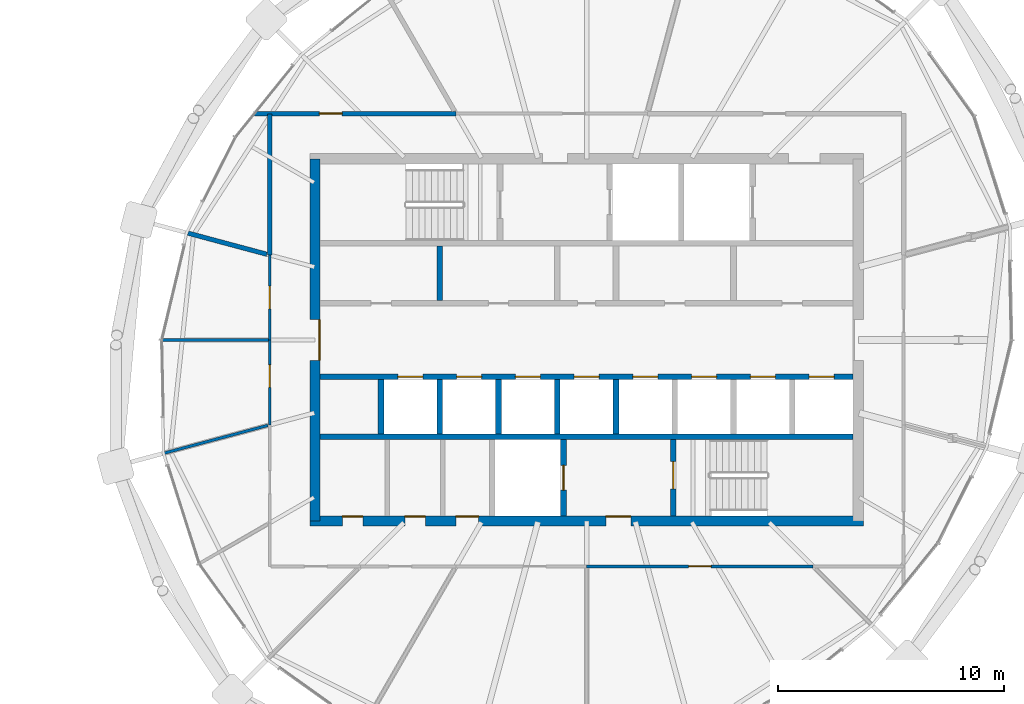
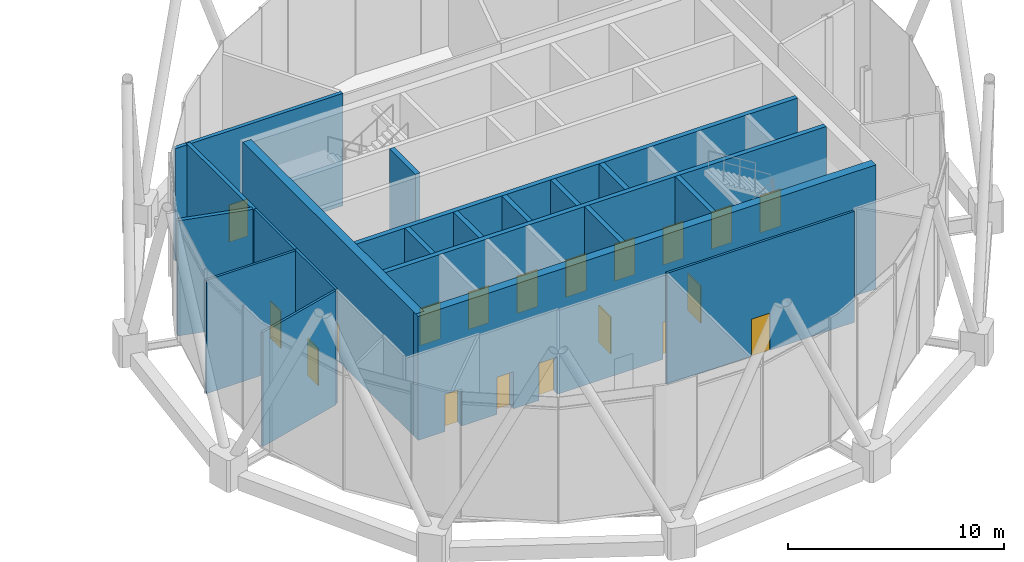
# One storey, part 21 of 28: 20 walls, 19 doors, 19 openings.
"""IFC4 building model written with IfcOpenShell, lengths in metres."""

from ifc_helpers import new_model, si_unit, direction, frame, frame_2d, origin, place, context, subcontext, project, spatial, rectangle, extrude, material, layer, layer_set, type_object, element, fill, save


model = new_model("IFC4")

# Units and contexts
model_context = context("Model", 3, precision=1e-05, world=origin(), true_north=direction((0.0, 1.0)))
body_context = subcontext(model_context, "Body", "Model", "MODEL_VIEW")
ifc_project = project(units=[si_unit("LENGTHUNIT", "METRE"), si_unit("AREAUNIT", "SQUARE_METRE"), si_unit("VOLUMEUNIT", "CUBIC_METRE"), si_unit("PLANEANGLEUNIT", "RADIAN"), si_unit("MASSUNIT", "GRAM", prefix="KILO")], contexts=[model_context])

# Site, building, storey
site_placement = place(None, origin())
site = spatial("IfcSite", under=ifc_project, at=site_placement, CompositionType="ELEMENT")
building_placement = place(site_placement, origin())
building = spatial("IfcBuilding", under=site, at=building_placement, Name="Rimbun Link Towers", CompositionType="ELEMENT")
storey_placement = place(building_placement, frame((0.0, 0.0, 256.10009765625)))
storey = spatial("IfcBuildingStorey", under=building, at=storey_placement, Name="L63", CompositionType="ELEMENT", Elevation=256.10009765625)

# Wall, openings, doors
ifc_material_1 = material(Name="Concrete C60/75", Category="concrete")
ifc_layer_1 = layer(ifc_material_1, 0.449951171875)
ifc_layer_set_1 = layer_set([ifc_layer_1], Name="Core shear wall 450")
wall_type_1 = type_object("IfcWallType", Name="Core shear wall 450", PredefinedType="SHEAR", material=ifc_layer_set_1)
wall_1_placement = place(storey_placement, frame((19.52490234375, -8.0, 0.0), z_axis=(0.0, 0.0, 1.0), x_axis=(1.0, 0.0, 0.0)))
wall_1 = element("IfcWall", 1, at=wall_1_placement, inside=storey, type_object=wall_type_1, Name="L63 T2 core wall S", PredefinedType="SHEAR", context=body_context, shape_type="SweptSolid", body=[
    extrude(rectangle(XDim=24.4501953125, YDim=0.449951171875, at=frame_2d((12.22509765625, 0.0))), origin(), (0.0, 0.0, 1.0), 7.0),
])
opening_1_placement = place(wall_1_placement, frame((13.074951171875, 0.0, 0.0)))
opening_1 = element("IfcOpeningElement", 2, at=opening_1_placement, cuts=wall_1, Name="Opening C2DCF01S", PredefinedType="OPENING", context=body_context, shape_type="SweptSolid", body=[
    extrude(rectangle(XDim=1.10009765625, YDim=2.10009765625, at=frame_2d((0.550048828125, 1.050048828125))), frame((0.0, 0.23486328125, 0.0), z_axis=(0.0, -1.0, 0.0), x_axis=(1.0, 0.0, 0.0)), (0.0, 0.0, 1.0), 0.469970703125),
])
opening_2_placement = place(wall_1_placement, frame((1.4375, 0.0, 0.0)))
opening_2 = element("IfcOpeningElement", 3, at=opening_2_placement, cuts=wall_1, Name="Opening C2DWC02S", PredefinedType="OPENING", context=body_context, shape_type="SweptSolid", body=[
    extrude(rectangle(XDim=0.89990234375, YDim=2.10009765625, at=frame_2d((0.449951171875, 1.050048828125))), frame((0.0, 0.23486328125, 0.0), z_axis=(0.0, -1.0, 0.0), x_axis=(1.0, 0.0, 0.0)), (0.0, 0.0, 1.0), 0.469970703125),
])
opening_3_placement = place(wall_1_placement, frame((4.199951171875, 0.0, 0.0)))
opening_3 = element("IfcOpeningElement", 4, at=opening_3_placement, cuts=wall_1, Name="Opening C2DWC03S", PredefinedType="OPENING", context=body_context, shape_type="SweptSolid", body=[
    extrude(rectangle(XDim=0.89990234375, YDim=2.10009765625, at=frame_2d((0.449951171875, 1.050048828125))), frame((0.0, 0.23486328125, 0.0), z_axis=(0.0, -1.0, 0.0), x_axis=(1.0, 0.0, 0.0)), (0.0, 0.0, 1.0), 0.469970703125),
])
opening_4_placement = place(wall_1_placement, frame((6.449951171875, 0.0, 0.0)))
opening_4 = element("IfcOpeningElement", 5, at=opening_4_placement, cuts=wall_1, Name="Opening C2DAW04S", PredefinedType="OPENING", context=body_context, shape_type="SweptSolid", body=[
    extrude(rectangle(XDim=1.0, YDim=2.10009765625, at=frame_2d((0.5, 1.050048828125))), frame((0.0, 0.23486328125, 0.0), z_axis=(0.0, -1.0, 0.0), x_axis=(1.0, 0.0, 0.0)), (0.0, 0.0, 1.0), 0.469970703125),
])
ifc_material_2 = material(Name="Timber", Category="wood")
door_type_1 = type_object("IfcDoorType", Name="Accessible WC door", OperationType="SINGLE_SWING_LEFT", PredefinedType="DOOR", material=ifc_material_2)
door_1_placement = place(opening_4_placement, origin())
door_1 = element("IfcDoor", 6, at=door_1_placement, inside=storey, type_object=door_type_1, Name="L63 T2 accessible wc door", OperationType="SINGLE_SWING_RIGHT", OverallHeight=2.10009765625, OverallWidth=1.0, PredefinedType="DOOR", context=body_context, shape_type="SweptSolid", body=[
    extrude(rectangle(XDim=1.0, YDim=2.10009765625, at=frame_2d((0.5, 1.050048828125))), frame((0.0, 0.22509765625, 0.0), z_axis=(0.0, -1.0, 0.0), x_axis=(1.0, 0.0, 0.0)), (0.0, 0.0, 1.0), 0.050048828125),
])
fill(opening_4, door_1)
ifc_material_3 = material(Name="Steel fire door set", Category="steel")
door_type_2 = type_object("IfcDoorType", Name="Core fire door single", OperationType="SINGLE_SWING_LEFT", PredefinedType="DOOR", material=ifc_material_3)
door_2_placement = place(opening_1_placement, origin())
door_2 = element("IfcDoor", 7, at=door_2_placement, inside=storey, type_object=door_type_2, Name="L63 T2 firefighting lobby s door", OperationType="SINGLE_SWING_RIGHT", OverallHeight=2.10009765625, OverallWidth=1.10009765625, PredefinedType="DOOR", context=body_context, shape_type="SweptSolid", body=[
    extrude(rectangle(XDim=1.10009765625, YDim=2.10009765625, at=frame_2d((0.550048828125, 1.050048828125))), frame((0.0, 0.22509765625, 0.0), z_axis=(0.0, -1.0, 0.0), x_axis=(1.0, 0.0, 0.0)), (0.0, 0.0, 1.0), 0.050048828125),
])
fill(opening_1, door_2)
ifc_material_4 = material(Name="Timber", Category="wood")
door_type_3 = type_object("IfcDoorType", Name="WC door", OperationType="SINGLE_SWING_LEFT", PredefinedType="DOOR", material=ifc_material_4)
door_3_placement = place(opening_2_placement, origin())
door_3 = element("IfcDoor", 8, at=door_3_placement, inside=storey, type_object=door_type_3, Name="L63 T2 male wc door", OperationType="SINGLE_SWING_RIGHT", OverallHeight=2.10009765625, OverallWidth=0.89990234375, PredefinedType="DOOR", context=body_context, shape_type="SweptSolid", body=[
    extrude(rectangle(XDim=0.89990234375, YDim=2.10009765625, at=frame_2d((0.449951171875, 1.050048828125))), frame((0.0, 0.22509765625, 0.0), z_axis=(0.0, -1.0, 0.0), x_axis=(1.0, 0.0, 0.0)), (0.0, 0.0, 1.0), 0.050048828125),
])
fill(opening_2, door_3)
door_4_placement = place(opening_3_placement, origin())
door_4 = element("IfcDoor", 9, at=door_4_placement, inside=storey, type_object=door_type_3, Name="L63 T2 female wc door", OperationType="SINGLE_SWING_RIGHT", OverallHeight=2.10009765625, OverallWidth=0.89990234375, PredefinedType="DOOR", context=body_context, shape_type="SweptSolid", body=[
    extrude(rectangle(XDim=0.89990234375, YDim=2.10009765625, at=frame_2d((0.449951171875, 1.050048828125))), frame((0.0, 0.22509765625, 0.0), z_axis=(0.0, -1.0, 0.0), x_axis=(1.0, 0.0, 0.0)), (0.0, 0.0, 1.0), 0.050048828125),
])
fill(opening_3, door_4)

# Wall, opening, door
wall_2_placement = place(storey_placement, frame((19.75, -8.0, 0.0), z_axis=(0.0, 0.0, 1.0), x_axis=(0.0, 1.0, 0.0)))
wall_2 = element("IfcWall", 10, at=wall_2_placement, inside=storey, type_object=wall_type_1, Name="L63 T2 core wall W", PredefinedType="SHEAR", context=body_context, shape_type="SweptSolid", body=[
    extrude(rectangle(XDim=16.0, YDim=0.449951171875, at=frame_2d((8.0, 0.0))), origin(), (0.0, 0.0, 1.0), 7.0),
])
opening_5_placement = place(wall_2_placement, frame((7.10009765625, 0.0, 0.0)))
opening_5 = element("IfcOpeningElement", 11, at=opening_5_placement, cuts=wall_2, Name="Opening C2DCL01W", PredefinedType="OPENING", context=body_context, shape_type="SweptSolid", body=[
    extrude(rectangle(XDim=1.800048828125, YDim=2.10009765625, at=frame_2d((0.89990234375, 1.050048828125))), frame((0.0, 0.23486328125, 0.0), z_axis=(0.0, -1.0, 0.0), x_axis=(1.0, 0.0, 0.0)), (0.0, 0.0, 1.0), 0.469970703125),
])
ifc_material_5 = material(Name="Steel fire door set", Category="steel")
door_type_4 = type_object("IfcDoorType", Name="Core lobby door double", OperationType="DOUBLE_DOOR_SINGLE_SWING", PredefinedType="DOOR", material=ifc_material_5)
door_5_placement = place(opening_5_placement, origin())
door_5 = element("IfcDoor", 12, at=door_5_placement, inside=storey, type_object=door_type_4, Name="L63 T2 lift lobby door", OperationType="DOUBLE_DOOR_SINGLE_SWING", OverallHeight=2.10009765625, OverallWidth=1.800048828125, PredefinedType="DOOR", context=body_context, shape_type="SweptSolid", body=[
    extrude(rectangle(XDim=1.800048828125, YDim=2.10009765625, at=frame_2d((0.89990234375, 1.050048828125))), frame((0.0, -0.1748046875, 0.0), z_axis=(0.0, -1.0, 0.0), x_axis=(1.0, 0.0, 0.0)), (0.0, 0.0, 1.0), 0.050048828125),
])
fill(opening_5, door_5)

ifc_material_6 = material(Name="Concrete blockwork", Category="masonry")
ifc_layer_2 = layer(ifc_material_6, 0.199951171875)
ifc_layer_set_2 = layer_set([ifc_layer_2], Name="Fire partition 200 blockwork")
wall_type_2 = type_object("IfcWallType", Name="Fire partition 200 blockwork", PredefinedType="PARTITIONING", material=ifc_layer_set_2)
wall_3_placement = place(storey_placement, frame((25.9765625, 10.0, 0.0), z_axis=(0.0, 0.0, 1.0), x_axis=(-1.0, 0.0, 0.0)))
wall_3 = element("IfcWall", 13, at=wall_3_placement, inside=storey, type_object=wall_type_2, Name="TW/PW/L63/039", PredefinedType="PARTITIONING", context=body_context, shape_type="SweptSolid", body=[
    extrude(rectangle(XDim=8.94091796875, YDim=0.199951171875, at=frame_2d((4.470458984375, 0.0))), origin(), (0.0, 0.0, 1.0), 6.346923828125),
])
opening_6_placement = place(wall_3_placement, frame((5.027099609375, 0.0, 0.0)))
opening_6 = element("IfcOpeningElement", 14, at=opening_6_placement, cuts=wall_3, Name="Opening TW D63.21", PredefinedType="OPENING", context=body_context, shape_type="SweptSolid", body=[
    extrude(rectangle(XDim=1.0, YDim=2.10009765625, at=frame_2d((0.5, 1.050048828125))), frame((0.0, 0.10986328125, 0.0), z_axis=(0.0, -1.0, 0.0), x_axis=(1.0, 0.0, 0.0)), (0.0, 0.0, 1.0), 0.219970703125),
])
ifc_material_7 = material(Name="Steel fire door set", Category="steel")
door_type_5 = type_object("IfcDoorType", Name="Fire door single leaf 1000 x 2100", OperationType="NOTDEFINED", PredefinedType="DOOR", material=ifc_material_7)
door_6_placement = place(opening_6_placement, origin())
door_6 = element("IfcDoor", 15, at=door_6_placement, inside=storey, type_object=door_type_5, Name="TW/DR/L63/021", OperationType="SINGLE_SWING_RIGHT", OverallHeight=2.10009765625, OverallWidth=1.0, PredefinedType="DOOR", context=body_context, shape_type="SweptSolid", body=[
    extrude(rectangle(XDim=1.0, YDim=2.10009765625, at=frame_2d((0.5, 1.050048828125))), frame((0.0, 0.02490234375, 0.0), z_axis=(0.0, -1.0, 0.0), x_axis=(1.0, 0.0, 0.0)), (0.0, 0.0, 1.0), 0.050048828125),
])
fill(opening_6, door_6)

# Walls
wall_4_placement = place(storey_placement, frame((17.75, 9.978759765625, 0.0), z_axis=(0.0, 0.0, 1.0), x_axis=(0.0, -1.0, 0.0)))
element("IfcWall", 16, at=wall_4_placement, inside=storey, type_object=wall_type_2, Name="TW/PW/L63/040", PredefinedType="PARTITIONING", context=body_context, shape_type="SweptSolid", body=[
    extrude(rectangle(XDim=6.2275390625, YDim=0.199951171875, at=frame_2d((3.11376953125, 0.0))), origin(), (0.0, 0.0, 1.0), 6.393798828125),
])
wall_5_placement = place(storey_placement, frame((14.138671875, 4.718994140625, 0.0), z_axis=(0.0, 0.0, 1.0), x_axis=(0.965913014904, -0.258866853112, 0.0)))
element("IfcWall", 17, at=wall_5_placement, inside=storey, type_object=wall_type_2, Name="TW/PW/L63/053", PredefinedType="PARTITIONING", context=body_context, shape_type="SweptSolid", body=[
    extrude(rectangle(XDim=3.6083984375, YDim=0.199951171875, at=frame_2d((1.80419921875, 0.0))), origin(), (0.0, 0.0, 1.0), 6.496826171875),
])

# Wall, opening, door
ifc_material_8 = material(Name="Gypsum board on steel studs", Category="steel")
ifc_layer_3 = layer(ifc_material_8, 0.125)
ifc_layer_set_3 = layer_set([ifc_layer_3], Name="Partition 125 board on studs")
wall_type_3 = type_object("IfcWallType", Name="Partition 125 board on studs", PredefinedType="PARTITIONING", material=ifc_layer_set_3)
wall_6_placement = place(storey_placement, frame((31.75, -10.0, 0.0), z_axis=(0.0, 0.0, 1.0), x_axis=(1.0, 0.0, 0.0)))
wall_6 = element("IfcWall", 18, at=wall_6_placement, inside=storey, type_object=wall_type_3, Name="TW/PW/L63/032", PredefinedType="PARTITIONING", context=body_context, shape_type="SweptSolid", body=[
    extrude(rectangle(XDim=10.0, YDim=0.125, at=frame_2d((5.0, 0.0))), origin(), (0.0, 0.0, 1.0), 6.266845703125),
])
opening_7_placement = place(wall_6_placement, frame((4.5, 0.0, 0.0)))
opening_7 = element("IfcOpeningElement", 19, at=opening_7_placement, cuts=wall_6, Name="Opening TW D63.16", PredefinedType="OPENING", context=body_context, shape_type="SweptSolid", body=[
    extrude(rectangle(XDim=1.0, YDim=2.10009765625, at=frame_2d((0.5, 1.050048828125))), frame((0.0, 0.072509765625, 0.0), z_axis=(0.0, -1.0, 0.0), x_axis=(1.0, 0.0, 0.0)), (0.0, 0.0, 1.0), 0.14501953125),
])
ifc_material_9 = material(Name="Timber door set", Category="wood")
door_type_6 = type_object("IfcDoorType", Name="Door single leaf 1000 x 2100", OperationType="NOTDEFINED", PredefinedType="DOOR", material=ifc_material_9)
door_7_placement = place(opening_7_placement, origin())
door_7 = element("IfcDoor", 20, at=door_7_placement, inside=storey, type_object=door_type_6, Name="TW/DR/L63/016", OperationType="SINGLE_SWING_LEFT", OverallHeight=2.10009765625, OverallWidth=1.0, PredefinedType="DOOR", context=body_context, shape_type="SweptSolid", body=[
    extrude(rectangle(XDim=1.0, YDim=2.10009765625, at=frame_2d((0.5, 1.050048828125))), frame((0.0, 0.02490234375, 0.0), z_axis=(0.0, -1.0, 0.0), x_axis=(1.0, 0.0, 0.0)), (0.0, 0.0, 1.0), 0.050048828125),
])
fill(opening_7, door_7)

wall_7_placement = place(storey_placement, frame((17.75, 3.751220703125, 0.0), z_axis=(0.0, 0.0, 1.0), x_axis=(0.0, -1.0, 0.0)))
wall_7 = element("IfcWall", 21, at=wall_7_placement, inside=storey, type_object=wall_type_3, Name="TW/PW/L63/041", PredefinedType="PARTITIONING", context=body_context, shape_type="SweptSolid", body=[
    extrude(rectangle(XDim=3.751220703125, YDim=0.125, at=frame_2d((1.87548828125, 0.0))), origin(), (0.0, 0.0, 1.0), 6.44482421875),
])
opening_8_placement = place(wall_7_placement, frame((1.3759765625, 0.0, 0.0)))
opening_8 = element("IfcOpeningElement", 22, at=opening_8_placement, cuts=wall_7, Name="Opening TW D63.22", PredefinedType="OPENING", context=body_context, shape_type="SweptSolid", body=[
    extrude(rectangle(XDim=1.0, YDim=2.10009765625, at=frame_2d((0.5, 1.050048828125))), frame((0.0, 0.072509765625, 0.0), z_axis=(0.0, -1.0, 0.0), x_axis=(1.0, 0.0, 0.0)), (0.0, 0.0, 1.0), 0.14501953125),
])
door_8_placement = place(opening_8_placement, origin())
door_8 = element("IfcDoor", 23, at=door_8_placement, inside=storey, type_object=door_type_6, Name="TW/DR/L63/022", OperationType="SINGLE_SWING_LEFT", OverallHeight=2.10009765625, OverallWidth=1.0, PredefinedType="DOOR", context=body_context, shape_type="SweptSolid", body=[
    extrude(rectangle(XDim=1.0, YDim=2.10009765625, at=frame_2d((0.5, 1.050048828125))), frame((0.0, 0.02490234375, 0.0), z_axis=(0.0, -1.0, 0.0), x_axis=(1.0, 0.0, 0.0)), (0.0, 0.0, 1.0), 0.050048828125),
])
fill(opening_8, door_8)

wall_8_placement = place(storey_placement, frame((17.75, 0.0, 0.0), z_axis=(0.0, 0.0, 1.0), x_axis=(0.0, -1.0, 0.0)))
wall_8 = element("IfcWall", 24, at=wall_8_placement, inside=storey, type_object=wall_type_3, Name="TW/PW/L63/042", PredefinedType="PARTITIONING", context=body_context, shape_type="SweptSolid", body=[
    extrude(rectangle(XDim=3.751220703125, YDim=0.125, at=frame_2d((1.87548828125, 0.0))), origin(), (0.0, 0.0, 1.0), 6.44482421875),
])
opening_9_placement = place(wall_8_placement, frame((1.097900390625, 0.0, 0.0)))
opening_9 = element("IfcOpeningElement", 25, at=opening_9_placement, cuts=wall_8, Name="Opening TW D63.23", PredefinedType="OPENING", context=body_context, shape_type="SweptSolid", body=[
    extrude(rectangle(XDim=1.0, YDim=2.10009765625, at=frame_2d((0.5, 1.050048828125))), frame((0.0, 0.072509765625, 0.0), z_axis=(0.0, -1.0, 0.0), x_axis=(1.0, 0.0, 0.0)), (0.0, 0.0, 1.0), 0.14501953125),
])
door_9_placement = place(opening_9_placement, origin())
door_9 = element("IfcDoor", 26, at=door_9_placement, inside=storey, type_object=door_type_6, Name="TW/DR/L63/023", OperationType="SINGLE_SWING_RIGHT", OverallHeight=2.10009765625, OverallWidth=1.0, PredefinedType="DOOR", context=body_context, shape_type="SweptSolid", body=[
    extrude(rectangle(XDim=1.0, YDim=2.10009765625, at=frame_2d((0.5, 1.050048828125))), frame((0.0, 0.02490234375, 0.0), z_axis=(0.0, -1.0, 0.0), x_axis=(1.0, 0.0, 0.0)), (0.0, 0.0, 1.0), 0.050048828125),
])
fill(opening_9, door_9)

# Walls
wall_9_placement = place(storey_placement, frame((17.67138671875, -3.7724609375, 0.0), z_axis=(0.0, 0.0, 1.0), x_axis=(-0.965927604793, -0.258812407544, 0.0)))
element("IfcWall", 27, at=wall_9_placement, inside=storey, type_object=wall_type_3, Name="TW/PW/L63/044", PredefinedType="PARTITIONING", context=body_context, shape_type="SweptSolid", body=[
    extrude(rectangle(XDim=4.796630859375, YDim=0.125, at=frame_2d((2.3984375, 0.0))), origin(), (0.0, 0.0, 1.0), 6.44482421875),
])
wall_10_placement = place(storey_placement, frame((12.93017578125, 0.0, 0.0), z_axis=(0.0, 0.0, 1.0), x_axis=(1.0, 0.0, 0.0)))
element("IfcWall", 28, at=wall_10_placement, inside=storey, type_object=wall_type_3, Name="TW/PW/L63/054", PredefinedType="PARTITIONING", context=body_context, shape_type="SweptSolid", body=[
    extrude(rectangle(XDim=4.75732421875, YDim=0.125, at=frame_2d((2.378662109375, 0.0))), origin(), (0.0, 0.0, 1.0), 6.393798828125),
])
ifc_material_10 = material(Name="Concrete C60/75", Category="concrete")
ifc_layer_4 = layer(ifc_material_10, 0.25)
ifc_layer_set_4 = layer_set([ifc_layer_4], Name="Shaft wall 250")
wall_type_4 = type_object("IfcWallType", Name="Shaft wall 250", PredefinedType="SHEAR", material=ifc_layer_set_4)
wall_11_placement = place(storey_placement, frame((19.97509765625, -4.27490234375, 0.0), z_axis=(0.0, 0.0, 1.0), x_axis=(1.0, 0.0, 0.0)))
element("IfcWall", 29, at=wall_11_placement, inside=storey, type_object=wall_type_4, Name="L63 T2 core wall BS", PredefinedType="SHEAR", context=body_context, shape_type="SweptSolid", body=[
    extrude(rectangle(XDim=23.5498046875, YDim=0.25, at=frame_2d((11.77490234375, 0.0))), origin(), (0.0, 0.0, 1.0), 7.0),
])

# Wall, openings, doors
wall_12_placement = place(storey_placement, frame((19.97509765625, -1.625, 0.0), z_axis=(0.0, 0.0, 1.0), x_axis=(1.0, 0.0, 0.0)))
wall_12 = element("IfcWall", 30, at=wall_12_placement, inside=storey, type_object=wall_type_4, Name="L63 T2 core wall FS", PredefinedType="SHEAR", context=body_context, shape_type="SweptSolid", body=[
    extrude(rectangle(XDim=23.5498046875, YDim=0.25, at=frame_2d((11.77490234375, 0.0))), origin(), (0.0, 0.0, 1.0), 7.0),
])
opening_10_placement = place(wall_12_placement, frame((3.441650390625, 0.0, 0.0)))
opening_10 = element("IfcOpeningElement", 31, at=opening_10_placement, cuts=wall_12, Name="Opening LD-T2-OB1", PredefinedType="OPENING", context=body_context, shape_type="SweptSolid", body=[
    extrude(rectangle(XDim=1.10009765625, YDim=2.10009765625, at=frame_2d((0.550048828125, 1.050048828125))), frame((0.0, 0.135009765625, 0.0), z_axis=(0.0, -1.0, 0.0), x_axis=(1.0, 0.0, 0.0)), (0.0, 0.0, 1.0), 0.27001953125),
])
opening_11_placement = place(wall_12_placement, frame((6.0361328125, 0.0, 0.0)))
opening_11 = element("IfcOpeningElement", 32, at=opening_11_placement, cuts=wall_12, Name="Opening LD-T2-OB2", PredefinedType="OPENING", context=body_context, shape_type="SweptSolid", body=[
    extrude(rectangle(XDim=1.10009765625, YDim=2.10009765625, at=frame_2d((0.550048828125, 1.050048828125))), frame((0.0, 0.135009765625, 0.0), z_axis=(0.0, -1.0, 0.0), x_axis=(1.0, 0.0, 0.0)), (0.0, 0.0, 1.0), 0.27001953125),
])
opening_12_placement = place(wall_12_placement, frame((8.630615234375, 0.0, 0.0)))
opening_12 = element("IfcOpeningElement", 33, at=opening_12_placement, cuts=wall_12, Name="Opening LD-T2-HR1", PredefinedType="OPENING", context=body_context, shape_type="SweptSolid", body=[
    extrude(rectangle(XDim=1.10009765625, YDim=2.10009765625, at=frame_2d((0.550048828125, 1.050048828125))), frame((0.0, 0.135009765625, 0.0), z_axis=(0.0, -1.0, 0.0), x_axis=(1.0, 0.0, 0.0)), (0.0, 0.0, 1.0), 0.27001953125),
])
opening_13_placement = place(wall_12_placement, frame((11.22509765625, 0.0, 0.0)))
opening_13 = element("IfcOpeningElement", 34, at=opening_13_placement, cuts=wall_12, Name="Opening LD-T2-HR2", PredefinedType="OPENING", context=body_context, shape_type="SweptSolid", body=[
    extrude(rectangle(XDim=1.10009765625, YDim=2.10009765625, at=frame_2d((0.550048828125, 1.050048828125))), frame((0.0, 0.135009765625, 0.0), z_axis=(0.0, -1.0, 0.0), x_axis=(1.0, 0.0, 0.0)), (0.0, 0.0, 1.0), 0.27001953125),
])
opening_14_placement = place(wall_12_placement, frame((13.8193359375, 0.0, 0.0)))
opening_14 = element("IfcOpeningElement", 35, at=opening_14_placement, cuts=wall_12, Name="Opening LD-T2-HR3", PredefinedType="OPENING", context=body_context, shape_type="SweptSolid", body=[
    extrude(rectangle(XDim=1.10009765625, YDim=2.10009765625, at=frame_2d((0.550048828125, 1.050048828125))), frame((0.0, 0.135009765625, 0.0), z_axis=(0.0, -1.0, 0.0), x_axis=(1.0, 0.0, 0.0)), (0.0, 0.0, 1.0), 0.27001953125),
])
opening_15_placement = place(wall_12_placement, frame((16.413818359375, 0.0, 0.0)))
opening_15 = element("IfcOpeningElement", 36, at=opening_15_placement, cuts=wall_12, Name="Opening LD-T2-HR4", PredefinedType="OPENING", context=body_context, shape_type="SweptSolid", body=[
    extrude(rectangle(XDim=1.10009765625, YDim=2.10009765625, at=frame_2d((0.550048828125, 1.050048828125))), frame((0.0, 0.135009765625, 0.0), z_axis=(0.0, -1.0, 0.0), x_axis=(1.0, 0.0, 0.0)), (0.0, 0.0, 1.0), 0.27001953125),
])
opening_16_placement = place(wall_12_placement, frame((19.00830078125, 0.0, 0.0)))
opening_16 = element("IfcOpeningElement", 37, at=opening_16_placement, cuts=wall_12, Name="Opening LD-T2-HR5", PredefinedType="OPENING", context=body_context, shape_type="SweptSolid", body=[
    extrude(rectangle(XDim=1.10009765625, YDim=2.10009765625, at=frame_2d((0.550048828125, 1.050048828125))), frame((0.0, 0.135009765625, 0.0), z_axis=(0.0, -1.0, 0.0), x_axis=(1.0, 0.0, 0.0)), (0.0, 0.0, 1.0), 0.27001953125),
])
opening_17_placement = place(wall_12_placement, frame((21.602783203125, 0.0, 0.0)))
opening_17 = element("IfcOpeningElement", 38, at=opening_17_placement, cuts=wall_12, Name="Opening LD-T2-HR6", PredefinedType="OPENING", context=body_context, shape_type="SweptSolid", body=[
    extrude(rectangle(XDim=1.10009765625, YDim=2.10009765625, at=frame_2d((0.550048828125, 1.050048828125))), frame((0.0, 0.135009765625, 0.0), z_axis=(0.0, -1.0, 0.0), x_axis=(1.0, 0.0, 0.0)), (0.0, 0.0, 1.0), 0.27001953125),
])
ifc_material_11 = material(Name="Stainless steel grade 316", Category="steel")
door_type_7 = type_object("IfcDoorType", Name="Lift landing door", OperationType="DOUBLE_DOOR_SLIDING", PredefinedType="DOOR", material=ifc_material_11)
door_10_placement = place(opening_10_placement, origin())
door_10 = element("IfcDoor", 39, at=door_10_placement, inside=storey, type_object=door_type_7, Name="L63 T2 lift OB1 landing door", OperationType="DOUBLE_DOOR_SLIDING", OverallHeight=2.10009765625, OverallWidth=1.10009765625, PredefinedType="DOOR", context=body_context, shape_type="SweptSolid", body=[
    extrude(rectangle(XDim=1.10009765625, YDim=2.10009765625, at=frame_2d((0.550048828125, 1.050048828125))), frame((0.0, 0.02490234375, 0.0), z_axis=(0.0, -1.0, 0.0), x_axis=(1.0, 0.0, 0.0)), (0.0, 0.0, 1.0), 0.050048828125),
])
fill(opening_10, door_10)
door_11_placement = place(opening_11_placement, origin())
door_11 = element("IfcDoor", 40, at=door_11_placement, inside=storey, type_object=door_type_7, Name="L63 T2 lift OB2 landing door", OperationType="DOUBLE_DOOR_SLIDING", OverallHeight=2.10009765625, OverallWidth=1.10009765625, PredefinedType="DOOR", context=body_context, shape_type="SweptSolid", body=[
    extrude(rectangle(XDim=1.10009765625, YDim=2.10009765625, at=frame_2d((0.550048828125, 1.050048828125))), frame((0.0, 0.02490234375, 0.0), z_axis=(0.0, -1.0, 0.0), x_axis=(1.0, 0.0, 0.0)), (0.0, 0.0, 1.0), 0.050048828125),
])
fill(opening_11, door_11)
door_12_placement = place(opening_12_placement, origin())
door_12 = element("IfcDoor", 41, at=door_12_placement, inside=storey, type_object=door_type_7, Name="L63 T2 lift HR1 landing door", OperationType="DOUBLE_DOOR_SLIDING", OverallHeight=2.10009765625, OverallWidth=1.10009765625, PredefinedType="DOOR", context=body_context, shape_type="SweptSolid", body=[
    extrude(rectangle(XDim=1.10009765625, YDim=2.10009765625, at=frame_2d((0.550048828125, 1.050048828125))), frame((0.0, 0.02490234375, 0.0), z_axis=(0.0, -1.0, 0.0), x_axis=(1.0, 0.0, 0.0)), (0.0, 0.0, 1.0), 0.050048828125),
])
fill(opening_12, door_12)
door_13_placement = place(opening_13_placement, origin())
door_13 = element("IfcDoor", 42, at=door_13_placement, inside=storey, type_object=door_type_7, Name="L63 T2 lift HR2 landing door", OperationType="DOUBLE_DOOR_SLIDING", OverallHeight=2.10009765625, OverallWidth=1.10009765625, PredefinedType="DOOR", context=body_context, shape_type="SweptSolid", body=[
    extrude(rectangle(XDim=1.10009765625, YDim=2.10009765625, at=frame_2d((0.550048828125, 1.050048828125))), frame((0.0, 0.02490234375, 0.0), z_axis=(0.0, -1.0, 0.0), x_axis=(1.0, 0.0, 0.0)), (0.0, 0.0, 1.0), 0.050048828125),
])
fill(opening_13, door_13)
door_14_placement = place(opening_14_placement, origin())
door_14 = element("IfcDoor", 43, at=door_14_placement, inside=storey, type_object=door_type_7, Name="L63 T2 lift HR3 landing door", OperationType="DOUBLE_DOOR_SLIDING", OverallHeight=2.10009765625, OverallWidth=1.10009765625, PredefinedType="DOOR", context=body_context, shape_type="SweptSolid", body=[
    extrude(rectangle(XDim=1.10009765625, YDim=2.10009765625, at=frame_2d((0.550048828125, 1.050048828125))), frame((0.0, 0.02490234375, 0.0), z_axis=(0.0, -1.0, 0.0), x_axis=(1.0, 0.0, 0.0)), (0.0, 0.0, 1.0), 0.050048828125),
])
fill(opening_14, door_14)
door_15_placement = place(opening_15_placement, origin())
door_15 = element("IfcDoor", 44, at=door_15_placement, inside=storey, type_object=door_type_7, Name="L63 T2 lift HR4 landing door", OperationType="DOUBLE_DOOR_SLIDING", OverallHeight=2.10009765625, OverallWidth=1.10009765625, PredefinedType="DOOR", context=body_context, shape_type="SweptSolid", body=[
    extrude(rectangle(XDim=1.10009765625, YDim=2.10009765625, at=frame_2d((0.550048828125, 1.050048828125))), frame((0.0, 0.02490234375, 0.0), z_axis=(0.0, -1.0, 0.0), x_axis=(1.0, 0.0, 0.0)), (0.0, 0.0, 1.0), 0.050048828125),
])
fill(opening_15, door_15)
door_16_placement = place(opening_16_placement, origin())
door_16 = element("IfcDoor", 45, at=door_16_placement, inside=storey, type_object=door_type_7, Name="L63 T2 lift HR5 landing door", OperationType="DOUBLE_DOOR_SLIDING", OverallHeight=2.10009765625, OverallWidth=1.10009765625, PredefinedType="DOOR", context=body_context, shape_type="SweptSolid", body=[
    extrude(rectangle(XDim=1.10009765625, YDim=2.10009765625, at=frame_2d((0.550048828125, 1.050048828125))), frame((0.0, 0.02490234375, 0.0), z_axis=(0.0, -1.0, 0.0), x_axis=(1.0, 0.0, 0.0)), (0.0, 0.0, 1.0), 0.050048828125),
])
fill(opening_16, door_16)
door_17_placement = place(opening_17_placement, origin())
door_17 = element("IfcDoor", 46, at=door_17_placement, inside=storey, type_object=door_type_7, Name="L63 T2 lift HR6 landing door", OperationType="DOUBLE_DOOR_SLIDING", OverallHeight=2.10009765625, OverallWidth=1.10009765625, PredefinedType="DOOR", context=body_context, shape_type="SweptSolid", body=[
    extrude(rectangle(XDim=1.10009765625, YDim=2.10009765625, at=frame_2d((0.550048828125, 1.050048828125))), frame((0.0, 0.02490234375, 0.0), z_axis=(0.0, -1.0, 0.0), x_axis=(1.0, 0.0, 0.0)), (0.0, 0.0, 1.0), 0.050048828125),
])
fill(opening_17, door_17)

# Walls
for number, where, z_axis, x_axis, name in (
    (47, (25.263916015625, 1.75, 0.0), (0.0, 0.0, 1.0), (0.0, 1.0, 0.0), "L63 T2 core wall DN1"),
    (48, (22.66943359375, -4.14990234375, 0.0), (0.0, 0.0, 1.0), (0.0, 1.0, 0.0), "L63 T2 core wall DS0"),
    (49, (25.263916015625, -4.14990234375, 0.0), (0.0, 0.0, 1.0), (0.0, 1.0, 0.0), "L63 T2 core wall DS1"),
    (50, (27.8583984375, -4.14990234375, 0.0), (0.0, 0.0, 1.0), (0.0, 1.0, 0.0), "L63 T2 core wall DS2"),
    (51, (30.452880859375, -4.14990234375, 0.0), (0.0, 0.0, 1.0), (0.0, 1.0, 0.0), "L63 T2 core wall DS3"),
    (52, (33.047119140625, -4.14990234375, 0.0), (0.0, 0.0, 1.0), (0.0, 1.0, 0.0), "L63 T2 core wall DS4"),
):
    element("IfcWall", number, at=place(storey_placement, frame(where, z_axis=z_axis, x_axis=x_axis)), inside=storey, type_object=wall_type_4, Name=name, PredefinedType="SHEAR", context=body_context, shape_type="SweptSolid", body=[
        extrude(rectangle(XDim=2.39990234375, YDim=0.25, at=frame_2d((1.199951171875, 0.0))), origin(), (0.0, 0.0, 1.0), 7.0),
    ])

# Wall, opening, door
wall_13_placement = place(storey_placement, frame((35.574951171875, -4.39990234375, 0.0), z_axis=(0.0, 0.0, 1.0), x_axis=(0.0, -1.0, 0.0)))
wall_13 = element("IfcWall", 53, at=wall_13_placement, inside=storey, type_object=wall_type_4, Name="L63 T2 core wall B1", PredefinedType="SHEAR", context=body_context, shape_type="SweptSolid", body=[
    extrude(rectangle(XDim=3.375, YDim=0.25, at=frame_2d((1.6875, 0.0))), origin(), (0.0, 0.0, 1.0), 7.0),
])
opening_18_placement = place(wall_13_placement, frame((0.97509765625, 0.0, 0.0)))
opening_18 = element("IfcOpeningElement", 54, at=opening_18_placement, cuts=wall_13, Name="Opening C2DST01B1", PredefinedType="OPENING", context=body_context, shape_type="SweptSolid", body=[
    extrude(rectangle(XDim=1.199951171875, YDim=2.10009765625, at=frame_2d((0.60009765625, 1.050048828125))), frame((0.0, 0.135009765625, 0.0), z_axis=(0.0, -1.0, 0.0), x_axis=(1.0, 0.0, 0.0)), (0.0, 0.0, 1.0), 0.27001953125),
])
ifc_material_12 = material(Name="Steel fire door set", Category="steel")
door_type_8 = type_object("IfcDoorType", Name="Stair door", OperationType="SINGLE_SWING_LEFT", PredefinedType="DOOR", material=ifc_material_12)
door_18_placement = place(opening_18_placement, origin())
door_18 = element("IfcDoor", 55, at=door_18_placement, inside=storey, type_object=door_type_8, Name="L63 T2 stair b door", OperationType="SINGLE_SWING_RIGHT", OverallHeight=2.10009765625, OverallWidth=1.199951171875, PredefinedType="DOOR", context=body_context, shape_type="SweptSolid", body=[
    extrude(rectangle(XDim=1.199951171875, YDim=2.10009765625, at=frame_2d((0.60009765625, 1.050048828125))), frame((0.0, 0.02490234375, 0.0), z_axis=(0.0, -1.0, 0.0), x_axis=(1.0, 0.0, 0.0)), (0.0, 0.0, 1.0), 0.050048828125),
])
fill(opening_18, door_18)

wall_14_placement = place(storey_placement, frame((30.72509765625, -4.39990234375, 0.0), z_axis=(0.0, 0.0, 1.0), x_axis=(0.0, -1.0, 0.0)))
wall_14 = element("IfcWall", 56, at=wall_14_placement, inside=storey, type_object=wall_type_4, Name="L63 T2 core wall B2", PredefinedType="SHEAR", context=body_context, shape_type="SweptSolid", body=[
    extrude(rectangle(XDim=3.375, YDim=0.25, at=frame_2d((1.6875, 0.0))), origin(), (0.0, 0.0, 1.0), 7.0),
])
opening_19_placement = place(wall_14_placement, frame((1.137451171875, 0.0, 0.0)))
opening_19 = element("IfcOpeningElement", 57, at=opening_19_placement, cuts=wall_14, Name="Opening LD-T2-FF2", PredefinedType="OPENING", context=body_context, shape_type="SweptSolid", body=[
    extrude(rectangle(XDim=1.10009765625, YDim=2.10009765625, at=frame_2d((0.550048828125, 1.050048828125))), frame((0.0, 0.135009765625, 0.0), z_axis=(0.0, -1.0, 0.0), x_axis=(1.0, 0.0, 0.0)), (0.0, 0.0, 1.0), 0.27001953125),
])
door_19_placement = place(opening_19_placement, origin())
door_19 = element("IfcDoor", 58, at=door_19_placement, inside=storey, type_object=door_type_7, Name="L63 T2 lift FF2 landing door", OperationType="DOUBLE_DOOR_SLIDING", OverallHeight=2.10009765625, OverallWidth=1.10009765625, PredefinedType="DOOR", context=body_context, shape_type="SweptSolid", body=[
    extrude(rectangle(XDim=1.10009765625, YDim=2.10009765625, at=frame_2d((0.550048828125, 1.050048828125))), frame((0.0, 0.02490234375, 0.0), z_axis=(0.0, -1.0, 0.0), x_axis=(1.0, 0.0, 0.0)), (0.0, 0.0, 1.0), 0.050048828125),
])
fill(opening_19, door_19)

save(model, "model.ifc")
